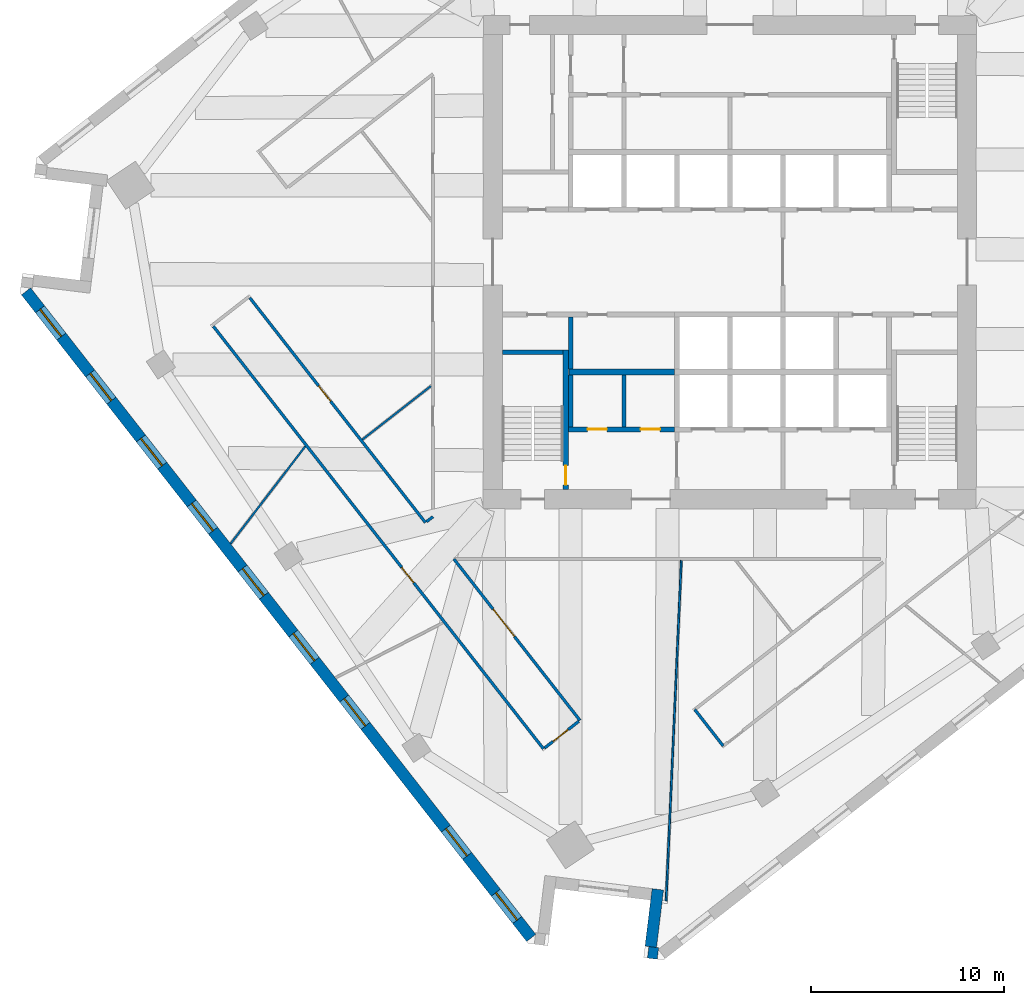
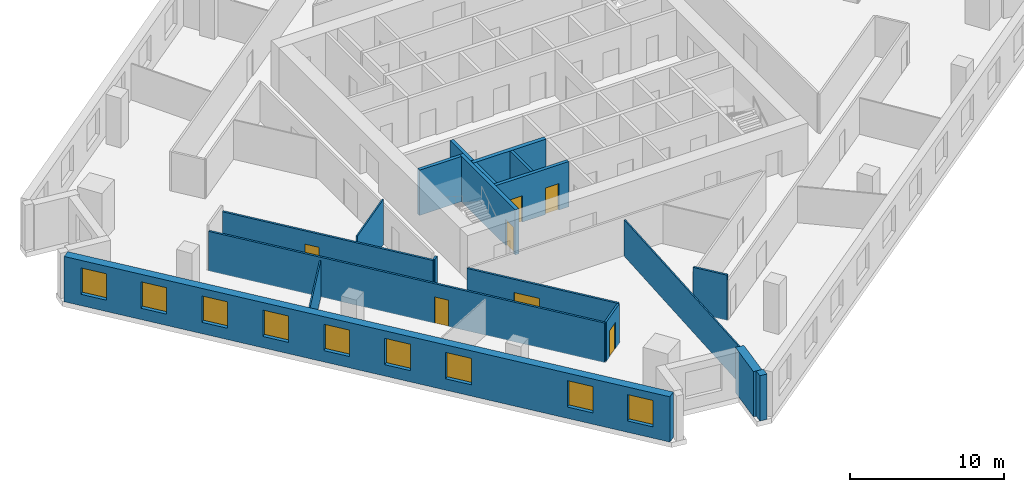
# One storey, part 4 of 11: 19 walls, 9 windows, 7 doors, 16 openings.
"""IFC4 building model written with IfcOpenShell, lengths in metres."""

from ifc_helpers import new_model, si_unit, direction, frame, frame_2d, origin, place, context, subcontext, project, spatial, rectangle, extrude, material, layer, layer_set, type_object, element, fill, save


model = new_model("IFC4")

# Units and contexts
model_context = context("Model", 3, precision=1e-05, world=origin(), true_north=direction((0.0, 1.0)))
body_context = subcontext(model_context, "Body", "Model", "MODEL_VIEW")
ifc_project = project(units=[si_unit("LENGTHUNIT", "METRE"), si_unit("AREAUNIT", "SQUARE_METRE"), si_unit("VOLUMEUNIT", "CUBIC_METRE"), si_unit("PLANEANGLEUNIT", "RADIAN"), si_unit("MASSUNIT", "GRAM", prefix="KILO")], contexts=[model_context])

# Site, building, storey
site_placement = place(None, origin())
site = spatial("IfcSite", under=ifc_project, at=site_placement, CompositionType="ELEMENT")
building_placement = place(site_placement, origin())
building = spatial("IfcBuilding", under=site, at=building_placement, Name="Dilmun Exchange Tower", CompositionType="ELEMENT")
storey_placement = place(building_placement, frame((0.0, 0.0, 175.699951171875)))
storey = spatial("IfcBuildingStorey", under=building, at=storey_placement, Name="L41", CompositionType="ELEMENT", Elevation=175.699951171875)

# Wall
ifc_material_1 = material(Name="Concrete C40/50", Category="concrete")
ifc_layer_1 = layer(ifc_material_1, 0.199951171875)
ifc_layer_set_1 = layer_set([ifc_layer_1], Name="Concrete C40/50")
wall_type_1 = type_object("IfcWallType", Name="Core partition wall 200", PredefinedType="PARTITIONING", material=ifc_layer_set_1)
wall_1_placement = place(storey_placement, frame((-5.5, -8.544921875, 0.0), z_axis=(0.0, 0.0, 1.0), x_axis=(0.0, 1.0, 0.0)))
element("IfcWall", 1, at=wall_1_placement, inside=storey, type_object=wall_type_1, Name="L41 core partition wall 05", PredefinedType="PARTITIONING", context=body_context, shape_type="SweptSolid", body=[
    extrude(rectangle(XDim=2.68994140625, YDim=0.199951171875, at=frame_2d((1.344970703125, 0.0))), origin(), (0.0, 0.0, 1.0), 3.60009765625),
])

# Wall, openings, doors
ifc_layer_2 = layer(ifc_material_1, 0.25)
ifc_layer_set_2 = layer_set([ifc_layer_2], Name="Concrete C40/50")
wall_type_2 = type_object("IfcWallType", Name="Core partition wall 250", PredefinedType="PARTITIONING", material=ifc_layer_set_2)
wall_2_placement = place(storey_placement, frame((-8.3701171875, -8.675048828125, 0.0), z_axis=(0.0, 0.0, 1.0), x_axis=(1.0, 0.0, 0.0)))
wall_2 = element("IfcWall", 2, at=wall_2_placement, inside=storey, type_object=wall_type_2, Name="L41 core partition wall 03", PredefinedType="PARTITIONING", context=body_context, shape_type="SweptSolid", body=[
    extrude(rectangle(XDim=5.490234375, YDim=0.25, at=frame_2d((2.7451171875, 0.0))), origin(), (0.0, 0.0, 1.0), 3.60009765625),
])
opening_1_placement = place(wall_2_placement, frame((0.9951171875, 0.0, 0.0)))
opening_1 = element("IfcOpeningElement", 3, at=opening_1_placement, cuts=wall_2, Name="Opening CD4", PredefinedType="OPENING", context=body_context, shape_type="SweptSolid", body=[
    extrude(rectangle(XDim=1.0, YDim=2.10009765625, at=frame_2d((0.5, 1.050048828125))), frame((0.0, 0.135009765625, 0.0), z_axis=(0.0, -1.0, 0.0), x_axis=(1.0, 0.0, 0.0)), (0.0, 0.0, 1.0), 0.27001953125),
])
opening_2_placement = place(wall_2_placement, frame((3.7451171875, 0.0, 0.0)))
opening_2 = element("IfcOpeningElement", 4, at=opening_2_placement, cuts=wall_2, Name="Opening CD4", PredefinedType="OPENING", context=body_context, shape_type="SweptSolid", body=[
    extrude(rectangle(XDim=1.0, YDim=2.10009765625, at=frame_2d((0.5, 1.050048828125))), frame((0.0, 0.135009765625, 0.0), z_axis=(0.0, -1.0, 0.0), x_axis=(1.0, 0.0, 0.0)), (0.0, 0.0, 1.0), 0.27001953125),
])
ifc_material_2 = material(Name="Fire-rated steel door set", Category="steel")
door_type_1 = type_object("IfcDoorType", Name="Core room door 1000x2100", OperationType="SINGLE_SWING_LEFT", PredefinedType="DOOR", material=ifc_material_2)
door_1_placement = place(opening_1_placement, origin())
door_1 = element("IfcDoor", 5, at=door_1_placement, inside=storey, type_object=door_type_1, Name="L41 door Male WC", OperationType="SINGLE_SWING_RIGHT", OverallHeight=2.10009765625, OverallWidth=1.0, PredefinedType="DOOR", context=body_context, shape_type="SweptSolid", body=[
    extrude(rectangle(XDim=1.0, YDim=2.10009765625, at=frame_2d((0.5, 1.050048828125))), frame((0.0, 0.02490234375, 0.0), z_axis=(0.0, -1.0, 0.0), x_axis=(1.0, 0.0, 0.0)), (0.0, 0.0, 1.0), 0.050048828125),
])
fill(opening_1, door_1)
door_2_placement = place(opening_2_placement, origin())
door_2 = element("IfcDoor", 6, at=door_2_placement, inside=storey, type_object=door_type_1, Name="L41 door Female WC", OperationType="SINGLE_SWING_RIGHT", OverallHeight=2.10009765625, OverallWidth=1.0, PredefinedType="DOOR", context=body_context, shape_type="SweptSolid", body=[
    extrude(rectangle(XDim=1.0, YDim=2.10009765625, at=frame_2d((0.5, 1.050048828125))), frame((0.0, 0.02490234375, 0.0), z_axis=(0.0, -1.0, 0.0), x_axis=(1.0, 0.0, 0.0)), (0.0, 0.0, 1.0), 0.050048828125),
])
fill(opening_2, door_2)

# Walls
for number, where, z_axis, x_axis, name in (
    (7, (-8.25, -8.544921875, 0.0), (0.0, 0.0, 1.0), (0.0, 1.0, 0.0), "L41 core partition wall 04"),
    (8, (-8.25, -5.544921875, 0.0), (0.0, 0.0, 1.0), (0.0, 1.0, 0.0), "L41 core partition wall 07"),
):
    element("IfcWall", number, at=place(storey_placement, frame(where, z_axis=z_axis, x_axis=x_axis)), inside=storey, type_object=wall_type_2, Name=name, PredefinedType="PARTITIONING", context=body_context, shape_type="SweptSolid", body=[
        extrude(rectangle(XDim=2.68994140625, YDim=0.25, at=frame_2d((1.344970703125, 0.0))), origin(), (0.0, 0.0, 1.0), 3.60009765625),
    ])
ifc_layer_3 = layer(ifc_material_1, 0.300048828125)
ifc_layer_set_3 = layer_set([ifc_layer_3], Name="Concrete C40/50")
wall_type_3 = type_object("IfcWallType", Name="Core partition wall 300", PredefinedType="PARTITIONING", material=ifc_layer_set_3)
wall_3_placement = place(storey_placement, frame((-8.35009765625, -5.699951171875, 0.0), z_axis=(0.0, 0.0, 1.0), x_axis=(1.0, 0.0, 0.0)))
element("IfcWall", 9, at=wall_3_placement, inside=storey, type_object=wall_type_3, Name="L41 core partition wall 06", PredefinedType="PARTITIONING", context=body_context, shape_type="SweptSolid", body=[
    extrude(rectangle(XDim=5.47021484375, YDim=0.300048828125, at=frame_2d((2.735107421875, 0.0))), origin(), (0.0, 0.0, 1.0), 3.60009765625),
])

# Wall, opening, door
ifc_material_3 = material(Name="Corridor wall 150")
ifc_layer_4 = layer(ifc_material_3, 0.14990234375)
ifc_layer_set_4 = layer_set([ifc_layer_4], Name="Corridor wall 150")
wall_type_4 = type_object("IfcWallType", Name="Corridor wall 150", PredefinedType="PARTITIONING", material=ifc_layer_set_4)
wall_4_placement = place(storey_placement, frame((-26.788818359375, -3.3310546875, 0.0), z_axis=(0.0, 0.0, 1.0), x_axis=(0.615659714696, -0.788012129158, 0.0)))
wall_4 = element("IfcWall", 10, at=wall_4_placement, inside=storey, type_object=wall_type_4, Name="Corridor wall", PredefinedType="PARTITIONING", context=body_context, shape_type="SweptSolid", body=[
    extrude(rectangle(XDim=27.810546875, YDim=0.14990234375, at=frame_2d((13.9052734375, 0.0))), origin(), (0.0, 0.0, 1.0), 3.150146484375),
])
opening_3_placement = place(wall_4_placement, frame((15.87158203125, 0.0, 0.0)))
opening_3 = element("IfcOpeningElement", 11, at=opening_3_placement, cuts=wall_4, Name="Opening TF41-D03", PredefinedType="OPENING", context=body_context, shape_type="SweptSolid", body=[
    extrude(rectangle(XDim=1.0, YDim=2.10009765625, at=frame_2d((0.5, 1.050048828125))), frame((0.0, 0.0849609375, 0.0), z_axis=(0.0, -1.0, 0.0), x_axis=(1.0, 0.0, 0.0)), (0.0, 0.0, 1.0), 0.169921875),
])
ifc_material_4 = material(Name="Fire door 1000 x 2100")
door_type_2 = type_object("IfcDoorType", Name="Fire door 1000 x 2100", OperationType="NOTDEFINED", PredefinedType="DOOR", material=ifc_material_4)
door_3_placement = place(opening_3_placement, frame((1.0, 0.0, 0.0), z_axis=(0.0, 0.0, 1.0), x_axis=(-1.0, 0.0, 0.0)))
door_3 = element("IfcDoor", 12, at=door_3_placement, inside=storey, type_object=door_type_2, Name="Door TF41-D03", OperationType="SINGLE_SWING_RIGHT", OverallHeight=2.10009765625, OverallWidth=1.0, PredefinedType="DOOR", context=body_context, shape_type="SweptSolid", body=[
    extrude(rectangle(XDim=1.0, YDim=2.10009765625, at=frame_2d((0.5, 1.050048828125))), frame((0.0, 0.02490234375, 0.0), z_axis=(0.0, -1.0, 0.0), x_axis=(1.0, 0.0, 0.0)), (0.0, 0.0, 1.0), 0.050048828125),
])
fill(opening_3, door_3)

wall_5_placement = place(storey_placement, frame((-24.897705078125, -1.85400390625, 0.0), z_axis=(0.0, 0.0, 1.0), x_axis=(0.615662298675, -0.788010110335, 0.0)))
wall_5 = element("IfcWall", 13, at=wall_5_placement, inside=storey, type_object=wall_type_4, Name="Corridor wall", PredefinedType="PARTITIONING", context=body_context, shape_type="SweptSolid", body=[
    extrude(rectangle(XDim=14.791748046875, YDim=0.14990234375, at=frame_2d((7.39599609375, 0.0))), origin(), (0.0, 0.0, 1.0), 3.150146484375),
])
opening_4_placement = place(wall_5_placement, frame((5.800048828125, 0.0, 0.0)))
opening_4 = element("IfcOpeningElement", 14, at=opening_4_placement, cuts=wall_5, Name="Opening TF41-D02", PredefinedType="OPENING", context=body_context, shape_type="SweptSolid", body=[
    extrude(rectangle(XDim=1.0, YDim=2.10009765625, at=frame_2d((0.5, 1.050048828125))), frame((0.0, 0.0849609375, 0.0), z_axis=(0.0, -1.0, 0.0), x_axis=(1.0, 0.0, 0.0)), (0.0, 0.0, 1.0), 0.169921875),
])
door_4_placement = place(opening_4_placement, origin())
door_4 = element("IfcDoor", 15, at=door_4_placement, inside=storey, type_object=door_type_2, Name="Door TF41-D02", OperationType="SINGLE_SWING_LEFT", OverallHeight=2.10009765625, OverallWidth=1.0, PredefinedType="DOOR", context=body_context, shape_type="SweptSolid", body=[
    extrude(rectangle(XDim=1.0, YDim=2.10009765625, at=frame_2d((0.5, 1.050048828125))), frame((0.0, 0.02490234375, 0.0), z_axis=(0.0, -1.0, 0.0), x_axis=(1.0, 0.0, 0.0)), (0.0, 0.0, 1.0), 0.050048828125),
])
fill(opening_4, door_4)

# Wall
wall_6_placement = place(storey_placement, frame((-15.731689453125, -13.4638671875, 0.0), z_axis=(0.0, 0.0, 1.0), x_axis=(0.788507933506, 0.615024583897, 0.0)))
element("IfcWall", 16, at=wall_6_placement, inside=storey, type_object=wall_type_4, Name="Corridor wall", PredefinedType="PARTITIONING", context=body_context, shape_type="SweptSolid", body=[
    extrude(rectangle(XDim=0.4208984375, YDim=0.14990234375, at=frame_2d((0.21044921875, 0.0))), origin(), (0.0, 0.0, 1.0), 3.150146484375),
])

# Wall, opening, door
wall_7_placement = place(storey_placement, frame((-14.31298828125, -15.40087890625, 0.0), z_axis=(0.0, 0.0, 1.0), x_axis=(0.615613702547, -0.78804807546, 0.0)))
wall_7 = element("IfcWall", 17, at=wall_7_placement, inside=storey, type_object=wall_type_4, Name="Corridor wall", PredefinedType="PARTITIONING", context=body_context, shape_type="SweptSolid", body=[
    extrude(rectangle(XDim=10.618896484375, YDim=0.14990234375, at=frame_2d((5.3095703125, 0.0))), origin(), (0.0, 0.0, 1.0), 3.150146484375),
])
opening_5_placement = place(wall_7_placement, frame((3.300048828125, 0.0, 0.0)))
opening_5 = element("IfcOpeningElement", 18, at=opening_5_placement, cuts=wall_7, Name="Opening TF41-D07", PredefinedType="OPENING", context=body_context, shape_type="SweptSolid", body=[
    extrude(rectangle(XDim=1.800048828125, YDim=2.10009765625, at=frame_2d((0.89990234375, 1.050048828125))), frame((0.0, 0.0849609375, 0.0), z_axis=(0.0, -1.0, 0.0), x_axis=(1.0, 0.0, 0.0)), (0.0, 0.0, 1.0), 0.169921875),
])
ifc_material_5 = material(Name="Fire door pair 1800 x 2100")
door_type_3 = type_object("IfcDoorType", Name="Fire door pair 1800 x 2100", OperationType="NOTDEFINED", PredefinedType="DOOR", material=ifc_material_5)
door_5_placement = place(opening_5_placement, origin())
door_5 = element("IfcDoor", 19, at=door_5_placement, inside=storey, type_object=door_type_3, Name="Door TF41-D07", OperationType="DOUBLE_DOOR_SINGLE_SWING", OverallHeight=2.10009765625, OverallWidth=1.800048828125, PredefinedType="DOOR", context=body_context, shape_type="SweptSolid", body=[
    extrude(rectangle(XDim=1.800048828125, YDim=2.10009765625, at=frame_2d((0.89990234375, 1.050048828125))), frame((0.0, 0.02490234375, 0.0), z_axis=(0.0, -1.0, 0.0), x_axis=(1.0, 0.0, 0.0)), (0.0, 0.0, 1.0), 0.050048828125),
])
fill(opening_5, door_5)

wall_8_placement = place(storey_placement, frame((-9.60791015625, -25.19970703125, 0.0), z_axis=(0.0, 0.0, 1.0), x_axis=(0.788111579875, 0.6155324018, 0.0)))
wall_8 = element("IfcWall", 20, at=wall_8_placement, inside=storey, type_object=wall_type_4, Name="Corridor wall", PredefinedType="PARTITIONING", context=body_context, shape_type="SweptSolid", body=[
    extrude(rectangle(XDim=2.249267578125, YDim=0.14990234375, at=frame_2d((1.12451171875, 0.0))), origin(), (0.0, 0.0, 1.0), 3.150146484375),
])
opening_6_placement = place(wall_8_placement, frame((0.550048828125, 0.0, 0.0)))
opening_6 = element("IfcOpeningElement", 21, at=opening_6_placement, cuts=wall_8, Name="Opening TF41-D08", PredefinedType="OPENING", context=body_context, shape_type="SweptSolid", body=[
    extrude(rectangle(XDim=1.0, YDim=2.10009765625, at=frame_2d((0.5, 1.050048828125))), frame((0.0, 0.0849609375, 0.0), z_axis=(0.0, -1.0, 0.0), x_axis=(1.0, 0.0, 0.0)), (0.0, 0.0, 1.0), 0.169921875),
])
door_6_placement = place(opening_6_placement, frame((1.0, 0.0, 0.0), z_axis=(0.0, 0.0, 1.0), x_axis=(-1.0, 0.0, 0.0)))
door_6 = element("IfcDoor", 22, at=door_6_placement, inside=storey, type_object=door_type_2, Name="Door TF41-D08", OperationType="SINGLE_SWING_LEFT", OverallHeight=2.10009765625, OverallWidth=1.0, PredefinedType="DOOR", context=body_context, shape_type="SweptSolid", body=[
    extrude(rectangle(XDim=1.0, YDim=2.10009765625, at=frame_2d((0.5, 1.050048828125))), frame((0.0, 0.02490234375, 0.0), z_axis=(0.0, -1.0, 0.0), x_axis=(1.0, 0.0, 0.0)), (0.0, 0.0, 1.0), 0.050048828125),
])
fill(opening_6, door_6)

# Walls
wall_9_placement = place(storey_placement, frame((-1.824951171875, -23.2041015625, 0.0), z_axis=(0.0, 0.0, 1.0), x_axis=(0.615792170082, -0.787908626216, 0.0)))
element("IfcWall", 23, at=wall_9_placement, inside=storey, type_object=wall_type_4, Name="Corridor wall", PredefinedType="PARTITIONING", context=body_context, shape_type="SweptSolid", body=[
    extrude(rectangle(XDim=2.398681640625, YDim=0.14990234375, at=frame_2d((1.19921875, 0.0))), origin(), (0.0, 0.0, 1.0), 3.60009765625),
])
ifc_material_6 = material(Name="Partition 100")
ifc_layer_5 = layer(ifc_material_6, 0.10009765625)
ifc_layer_set_5 = layer_set([ifc_layer_5], Name="Partition 100")
wall_type_5 = type_object("IfcWallType", Name="Partition 100", PredefinedType="PARTITIONING", material=ifc_layer_set_5)
wall_10_placement = place(storey_placement, frame((-25.89453125, -14.606689453125, 0.0), z_axis=(0.0, 0.0, 1.0), x_axis=(0.608671960686, 0.793421983735, 0.0)))
element("IfcWall", 24, at=wall_10_placement, inside=storey, type_object=wall_type_5, Name="Partition", PredefinedType="PARTITIONING", context=body_context, shape_type="SweptSolid", body=[
    extrude(rectangle(XDim=6.352294921875, YDim=0.10009765625, at=frame_2d((3.17626953125, 0.0))), origin(), (0.0, 0.0, 1.0), 2.900146484375),
])
wall_11_placement = place(storey_placement, frame((-19.058837890625, -9.205810546875, 0.0), z_axis=(0.0, 0.0, 1.0), x_axis=(0.787985790325, 0.615693425534, 0.0)))
element("IfcWall", 25, at=wall_11_placement, inside=storey, type_object=wall_type_5, Name="Partition", PredefinedType="PARTITIONING", context=body_context, shape_type="SweptSolid", body=[
    extrude(rectangle(XDim=4.509033203125, YDim=0.10009765625, at=frame_2d((2.25439453125, 0.0))), origin(), (0.0, 0.0, 1.0), 3.60009765625),
])
wall_12_placement = place(storey_placement, frame((-3.3095703125, -33.135009765625, 0.0), z_axis=(0.0, 0.0, 1.0), x_axis=(0.044752286744, 0.998998114528, 0.0)))
element("IfcWall", 26, at=wall_12_placement, inside=storey, type_object=wall_type_5, Name="Partition", PredefinedType="PARTITIONING", context=body_context, shape_type="SweptSolid", body=[
    extrude(rectangle(XDim=17.675537109375, YDim=0.10009765625, at=frame_2d((8.837890625, 0.0))), origin(), (0.0, 0.0, 1.0), 2.900146484375),
])

# Wall, openings, windows
ifc_material_7 = material(Name="Precast concrete C50/60", Category="concrete")
ifc_layer_6 = layer(ifc_material_7, 0.60009765625)
ifc_layer_set_6 = layer_set([ifc_layer_6], Name="Precast concrete C50/60")
wall_type_6 = type_object("IfcWallType", Name="Precast stone-clad wall 600", PredefinedType="STANDARD", material=ifc_layer_set_6)
wall_13_placement = place(storey_placement, frame((-36.502685546875, -1.51953125, 0.0), z_axis=(0.0, 0.0, 1.0), x_axis=(0.615658293455, -0.788013239546, 0.0)))
wall_13 = element("IfcWall", 27, at=wall_13_placement, inside=storey, type_object=wall_type_6, Name="Facade wall L41-09", PredefinedType="STANDARD", context=body_context, shape_type="SweptSolid", body=[
    extrude(rectangle(XDim=42.551513671875, YDim=0.60009765625, at=frame_2d((21.27587890625, 0.0))), origin(), (0.0, 0.0, 1.0), 3.60009765625),
])
opening_7_placement = place(wall_13_placement, frame((1.177978515625, 0.0, 0.89990234375)))
opening_7 = element("IfcOpeningElement", 28, at=opening_7_placement, cuts=wall_13, Name="Opening W180-210", PredefinedType="OPENING", context=body_context, shape_type="SweptSolid", body=[
    extrude(rectangle(XDim=1.800048828125, YDim=2.10009765625, at=frame_2d((0.89990234375, 1.050048828125))), frame((0.0, 0.31005859375, 0.0), z_axis=(0.0, -1.0, 0.0), x_axis=(1.0, 0.0, 0.0)), (0.0, 0.0, 1.0), 0.6201171875),
])
opening_8_placement = place(wall_13_placement, frame((5.395751953125, 0.0, 0.89990234375)))
opening_8 = element("IfcOpeningElement", 29, at=opening_8_placement, cuts=wall_13, Name="Opening W180-210", PredefinedType="OPENING", context=body_context, shape_type="SweptSolid", body=[
    extrude(rectangle(XDim=1.800048828125, YDim=2.10009765625, at=frame_2d((0.89990234375, 1.050048828125))), frame((0.0, 0.31005859375, 0.0), z_axis=(0.0, -1.0, 0.0), x_axis=(1.0, 0.0, 0.0)), (0.0, 0.0, 1.0), 0.6201171875),
])
opening_9_placement = place(wall_13_placement, frame((9.67578125, 0.0, 0.89990234375)))
opening_9 = element("IfcOpeningElement", 30, at=opening_9_placement, cuts=wall_13, Name="Opening W180-210", PredefinedType="OPENING", context=body_context, shape_type="SweptSolid", body=[
    extrude(rectangle(XDim=1.800048828125, YDim=2.10009765625, at=frame_2d((0.89990234375, 1.050048828125))), frame((0.0, 0.31005859375, 0.0), z_axis=(0.0, -1.0, 0.0), x_axis=(1.0, 0.0, 0.0)), (0.0, 0.0, 1.0), 0.6201171875),
])
opening_10_placement = place(wall_13_placement, frame((13.955810546875, 0.0, 0.89990234375)))
opening_10 = element("IfcOpeningElement", 31, at=opening_10_placement, cuts=wall_13, Name="Opening W180-210", PredefinedType="OPENING", context=body_context, shape_type="SweptSolid", body=[
    extrude(rectangle(XDim=1.800048828125, YDim=2.10009765625, at=frame_2d((0.89990234375, 1.050048828125))), frame((0.0, 0.31005859375, 0.0), z_axis=(0.0, -1.0, 0.0), x_axis=(1.0, 0.0, 0.0)), (0.0, 0.0, 1.0), 0.6201171875),
])
opening_11_placement = place(wall_13_placement, frame((18.235595703125, 0.0, 0.89990234375)))
opening_11 = element("IfcOpeningElement", 32, at=opening_11_placement, cuts=wall_13, Name="Opening W180-210", PredefinedType="OPENING", context=body_context, shape_type="SweptSolid", body=[
    extrude(rectangle(XDim=1.800048828125, YDim=2.10009765625, at=frame_2d((0.89990234375, 1.050048828125))), frame((0.0, 0.31005859375, 0.0), z_axis=(0.0, -1.0, 0.0), x_axis=(1.0, 0.0, 0.0)), (0.0, 0.0, 1.0), 0.6201171875),
])
opening_12_placement = place(wall_13_placement, frame((22.515625, 0.0, 0.89990234375)))
opening_12 = element("IfcOpeningElement", 33, at=opening_12_placement, cuts=wall_13, Name="Opening W180-210", PredefinedType="OPENING", context=body_context, shape_type="SweptSolid", body=[
    extrude(rectangle(XDim=1.800048828125, YDim=2.10009765625, at=frame_2d((0.89990234375, 1.050048828125))), frame((0.0, 0.31005859375, 0.0), z_axis=(0.0, -1.0, 0.0), x_axis=(1.0, 0.0, 0.0)), (0.0, 0.0, 1.0), 0.6201171875),
])
opening_13_placement = place(wall_13_placement, frame((26.795654296875, 0.0, 0.89990234375)))
opening_13 = element("IfcOpeningElement", 34, at=opening_13_placement, cuts=wall_13, Name="Opening W180-210", PredefinedType="OPENING", context=body_context, shape_type="SweptSolid", body=[
    extrude(rectangle(XDim=1.800048828125, YDim=2.10009765625, at=frame_2d((0.89990234375, 1.050048828125))), frame((0.0, 0.31005859375, 0.0), z_axis=(0.0, -1.0, 0.0), x_axis=(1.0, 0.0, 0.0)), (0.0, 0.0, 1.0), 0.6201171875),
])
opening_14_placement = place(wall_13_placement, frame((35.355712890625, 0.0, 0.89990234375)))
opening_14 = element("IfcOpeningElement", 35, at=opening_14_placement, cuts=wall_13, Name="Opening W180-210", PredefinedType="OPENING", context=body_context, shape_type="SweptSolid", body=[
    extrude(rectangle(XDim=1.800048828125, YDim=2.10009765625, at=frame_2d((0.89990234375, 1.050048828125))), frame((0.0, 0.31005859375, 0.0), z_axis=(0.0, -1.0, 0.0), x_axis=(1.0, 0.0, 0.0)), (0.0, 0.0, 1.0), 0.6201171875),
])
opening_15_placement = place(wall_13_placement, frame((39.573486328125, 0.0, 0.89990234375)))
opening_15 = element("IfcOpeningElement", 36, at=opening_15_placement, cuts=wall_13, Name="Opening W180-210", PredefinedType="OPENING", context=body_context, shape_type="SweptSolid", body=[
    extrude(rectangle(XDim=1.800048828125, YDim=2.10009765625, at=frame_2d((0.89990234375, 1.050048828125))), frame((0.0, 0.31005859375, 0.0), z_axis=(0.0, -1.0, 0.0), x_axis=(1.0, 0.0, 0.0)), (0.0, 0.0, 1.0), 0.6201171875),
])
ifc_material_8 = material(Name="Clear low-emissivity glass in aluminium frame", Category="aluminium")
window_type = type_object("IfcWindowType", Name="Punched window 1800 x 2100", PartitioningType="DOUBLE_PANEL_VERTICAL", PredefinedType="WINDOW", material=ifc_material_8)
window_1_placement = place(opening_7_placement, origin())
window_1 = element("IfcWindow", 37, at=window_1_placement, inside=storey, type_object=window_type, Name="Window 10.1", OverallHeight=2.10009765625, OverallWidth=1.800048828125, PartitioningType="SINGLE_PANEL", PredefinedType="WINDOW", context=body_context, shape_type="SweptSolid", body=[
    extrude(rectangle(XDim=1.800048828125, YDim=2.10009765625, at=frame_2d((0.89990234375, 1.050048828125))), frame((0.0, 0.030029296875, 0.0), z_axis=(0.0, -1.0, 0.0), x_axis=(1.0, 0.0, 0.0)), (0.0, 0.0, 1.0), 0.06005859375),
])
fill(opening_7, window_1)
window_2_placement = place(opening_8_placement, origin())
window_2 = element("IfcWindow", 38, at=window_2_placement, inside=storey, type_object=window_type, Name="Window 10.2", OverallHeight=2.10009765625, OverallWidth=1.800048828125, PartitioningType="SINGLE_PANEL", PredefinedType="WINDOW", context=body_context, shape_type="SweptSolid", body=[
    extrude(rectangle(XDim=1.800048828125, YDim=2.10009765625, at=frame_2d((0.89990234375, 1.050048828125))), frame((0.0, 0.030029296875, 0.0), z_axis=(0.0, -1.0, 0.0), x_axis=(1.0, 0.0, 0.0)), (0.0, 0.0, 1.0), 0.06005859375),
])
fill(opening_8, window_2)
window_3_placement = place(opening_9_placement, origin())
window_3 = element("IfcWindow", 39, at=window_3_placement, inside=storey, type_object=window_type, Name="Window 10.3", OverallHeight=2.10009765625, OverallWidth=1.800048828125, PartitioningType="SINGLE_PANEL", PredefinedType="WINDOW", context=body_context, shape_type="SweptSolid", body=[
    extrude(rectangle(XDim=1.800048828125, YDim=2.10009765625, at=frame_2d((0.89990234375, 1.050048828125))), frame((0.0, 0.030029296875, 0.0), z_axis=(0.0, -1.0, 0.0), x_axis=(1.0, 0.0, 0.0)), (0.0, 0.0, 1.0), 0.06005859375),
])
fill(opening_9, window_3)
window_4_placement = place(opening_10_placement, origin())
window_4 = element("IfcWindow", 40, at=window_4_placement, inside=storey, type_object=window_type, Name="Window 10.4", OverallHeight=2.10009765625, OverallWidth=1.800048828125, PartitioningType="SINGLE_PANEL", PredefinedType="WINDOW", context=body_context, shape_type="SweptSolid", body=[
    extrude(rectangle(XDim=1.800048828125, YDim=2.10009765625, at=frame_2d((0.89990234375, 1.050048828125))), frame((0.0, 0.030029296875, 0.0), z_axis=(0.0, -1.0, 0.0), x_axis=(1.0, 0.0, 0.0)), (0.0, 0.0, 1.0), 0.06005859375),
])
fill(opening_10, window_4)
window_5_placement = place(opening_11_placement, origin())
window_5 = element("IfcWindow", 41, at=window_5_placement, inside=storey, type_object=window_type, Name="Window 10.5", OverallHeight=2.10009765625, OverallWidth=1.800048828125, PartitioningType="SINGLE_PANEL", PredefinedType="WINDOW", context=body_context, shape_type="SweptSolid", body=[
    extrude(rectangle(XDim=1.800048828125, YDim=2.10009765625, at=frame_2d((0.89990234375, 1.050048828125))), frame((0.0, 0.030029296875, 0.0), z_axis=(0.0, -1.0, 0.0), x_axis=(1.0, 0.0, 0.0)), (0.0, 0.0, 1.0), 0.06005859375),
])
fill(opening_11, window_5)
window_6_placement = place(opening_12_placement, origin())
window_6 = element("IfcWindow", 42, at=window_6_placement, inside=storey, type_object=window_type, Name="Window 10.6", OverallHeight=2.10009765625, OverallWidth=1.800048828125, PartitioningType="SINGLE_PANEL", PredefinedType="WINDOW", context=body_context, shape_type="SweptSolid", body=[
    extrude(rectangle(XDim=1.800048828125, YDim=2.10009765625, at=frame_2d((0.89990234375, 1.050048828125))), frame((0.0, 0.030029296875, 0.0), z_axis=(0.0, -1.0, 0.0), x_axis=(1.0, 0.0, 0.0)), (0.0, 0.0, 1.0), 0.06005859375),
])
fill(opening_12, window_6)
window_7_placement = place(opening_13_placement, origin())
window_7 = element("IfcWindow", 43, at=window_7_placement, inside=storey, type_object=window_type, Name="Window 10.7", OverallHeight=2.10009765625, OverallWidth=1.800048828125, PartitioningType="SINGLE_PANEL", PredefinedType="WINDOW", context=body_context, shape_type="SweptSolid", body=[
    extrude(rectangle(XDim=1.800048828125, YDim=2.10009765625, at=frame_2d((0.89990234375, 1.050048828125))), frame((0.0, 0.030029296875, 0.0), z_axis=(0.0, -1.0, 0.0), x_axis=(1.0, 0.0, 0.0)), (0.0, 0.0, 1.0), 0.06005859375),
])
fill(opening_13, window_7)
window_8_placement = place(opening_14_placement, origin())
window_8 = element("IfcWindow", 44, at=window_8_placement, inside=storey, type_object=window_type, Name="Window 10.9", OverallHeight=2.10009765625, OverallWidth=1.800048828125, PartitioningType="SINGLE_PANEL", PredefinedType="WINDOW", context=body_context, shape_type="SweptSolid", body=[
    extrude(rectangle(XDim=1.800048828125, YDim=2.10009765625, at=frame_2d((0.89990234375, 1.050048828125))), frame((0.0, 0.030029296875, 0.0), z_axis=(0.0, -1.0, 0.0), x_axis=(1.0, 0.0, 0.0)), (0.0, 0.0, 1.0), 0.06005859375),
])
fill(opening_14, window_8)
window_9_placement = place(opening_15_placement, origin())
window_9 = element("IfcWindow", 45, at=window_9_placement, inside=storey, type_object=window_type, Name="Window 10.10", OverallHeight=2.10009765625, OverallWidth=1.800048828125, PartitioningType="SINGLE_PANEL", PredefinedType="WINDOW", context=body_context, shape_type="SweptSolid", body=[
    extrude(rectangle(XDim=1.800048828125, YDim=2.10009765625, at=frame_2d((0.89990234375, 1.050048828125))), frame((0.0, 0.030029296875, 0.0), z_axis=(0.0, -1.0, 0.0), x_axis=(1.0, 0.0, 0.0)), (0.0, 0.0, 1.0), 0.06005859375),
])
fill(opening_15, window_9)

# Walls
wall_14_placement = place(storey_placement, frame((-3.738037109375, -32.5322265625, 0.0), z_axis=(0.0, 0.0, 1.0), x_axis=(-0.121901146576, -0.992542246186, 0.0)))
element("IfcWall", 46, at=wall_14_placement, inside=storey, type_object=wall_type_6, Name="Facade wall L41-13", PredefinedType="STANDARD", context=body_context, shape_type="SweptSolid", body=[
    extrude(rectangle(XDim=3.000244140625, YDim=0.60009765625, at=frame_2d((1.5, 0.0))), origin(), (0.0, 0.0, 1.0), 3.60009765625),
])
wall_15_placement = place(storey_placement, frame((-4.239501953125, -35.79541015625, 0.0), z_axis=(0.0, 0.0, 1.0), x_axis=(0.992554603024, -0.121800492671, 0.0)))
element("IfcWall", 47, at=wall_15_placement, inside=storey, type_object=wall_type_6, Name="Facade wall L41-14", PredefinedType="STANDARD", context=body_context, shape_type="SweptSolid", body=[
    extrude(rectangle(XDim=0.51123046875, YDim=0.60009765625, at=frame_2d((0.255615234375, 0.0))), origin(), (0.0, 0.0, 1.0), 3.60009765625),
])
ifc_layer_7 = layer(ifc_material_1, 0.25)
ifc_layer_set_7 = layer_set([ifc_layer_7], Name="Concrete C40/50")
wall_type_7 = type_object("IfcWallType", Name="Stair end wall 250", PredefinedType="SOLIDWALL", material=ifc_layer_set_7)
wall_16_placement = place(storey_placement, frame((-8.64990234375, -4.675048828125, 0.0), z_axis=(0.0, 0.0, 1.0), x_axis=(-1.0, 0.0, 0.0)))
element("IfcWall", 48, at=wall_16_placement, inside=storey, type_object=wall_type_7, Name="L41 ST2 far wall", PredefinedType="SOLIDWALL", context=body_context, shape_type="SweptSolid", body=[
    extrude(rectangle(XDim=3.150146484375, YDim=0.25, at=frame_2d((1.5751953125, 0.0))), origin(), (0.0, 0.0, 1.0), 3.60009765625),
])

# Wall, opening, door
ifc_layer_8 = layer(ifc_material_1, 0.27490234375)
ifc_layer_set_8 = layer_set([ifc_layer_8], Name="Concrete C40/50")
wall_type_8 = type_object("IfcWallType", Name="Stair wall 275", PredefinedType="SOLIDWALL", material=ifc_layer_set_8)
wall_17_placement = place(storey_placement, frame((-8.512451171875, -4.550048828125, 0.0), z_axis=(0.0, 0.0, 1.0), x_axis=(0.0, -1.0, 0.0)))
wall_17 = element("IfcWall", 49, at=wall_17_placement, inside=storey, type_object=wall_type_8, Name="L41 ST2 wall to lift block", PredefinedType="SOLIDWALL", context=body_context, shape_type="SweptSolid", body=[
    extrude(rectangle(XDim=7.25, YDim=0.27490234375, at=frame_2d((3.625, 0.0))), origin(), (0.0, 0.0, 1.0), 3.60009765625),
])
opening_16_placement = place(wall_17_placement, frame((6.0, 0.0, 0.0)))
opening_16 = element("IfcOpeningElement", 50, at=opening_16_placement, cuts=wall_17, Name="Opening CD4", PredefinedType="OPENING", context=body_context, shape_type="SweptSolid", body=[
    extrude(rectangle(XDim=1.0, YDim=2.10009765625, at=frame_2d((0.5, 1.050048828125))), frame((0.0, 0.1474609375, 0.0), z_axis=(0.0, -1.0, 0.0), x_axis=(1.0, 0.0, 0.0)), (0.0, 0.0, 1.0), 0.294921875),
])
door_7_placement = place(opening_16_placement, origin())
door_7 = element("IfcDoor", 51, at=door_7_placement, inside=storey, type_object=door_type_1, Name="L41 door ST2 from lobby", OperationType="SINGLE_SWING_LEFT", OverallHeight=2.10009765625, OverallWidth=1.0, PredefinedType="DOOR", context=body_context, shape_type="SweptSolid", body=[
    extrude(rectangle(XDim=1.0, YDim=2.10009765625, at=frame_2d((0.5, 1.050048828125))), frame((0.0, 0.02490234375, 0.0), z_axis=(0.0, -1.0, 0.0), x_axis=(1.0, 0.0, 0.0)), (0.0, 0.0, 1.0), 0.050048828125),
])
fill(opening_16, door_7)

save(model, "model.ifc")
